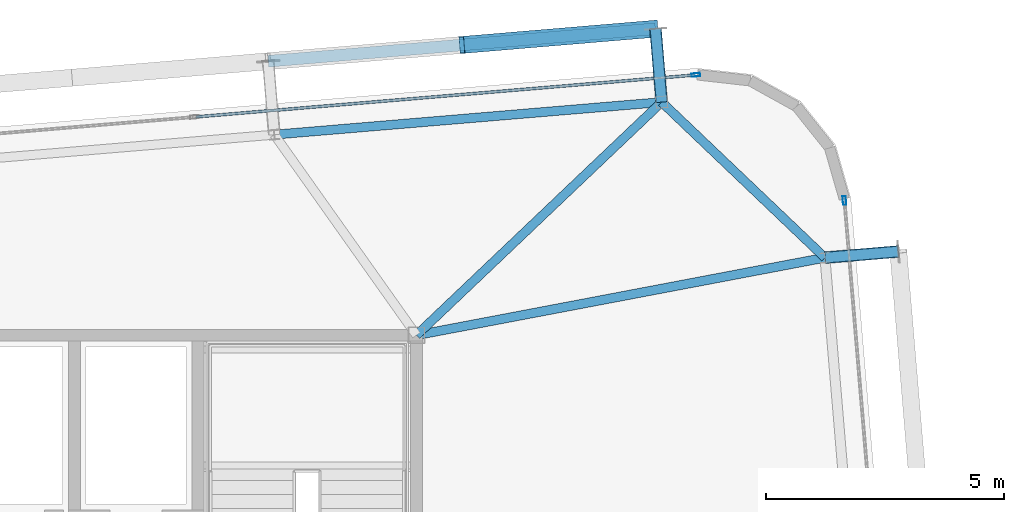
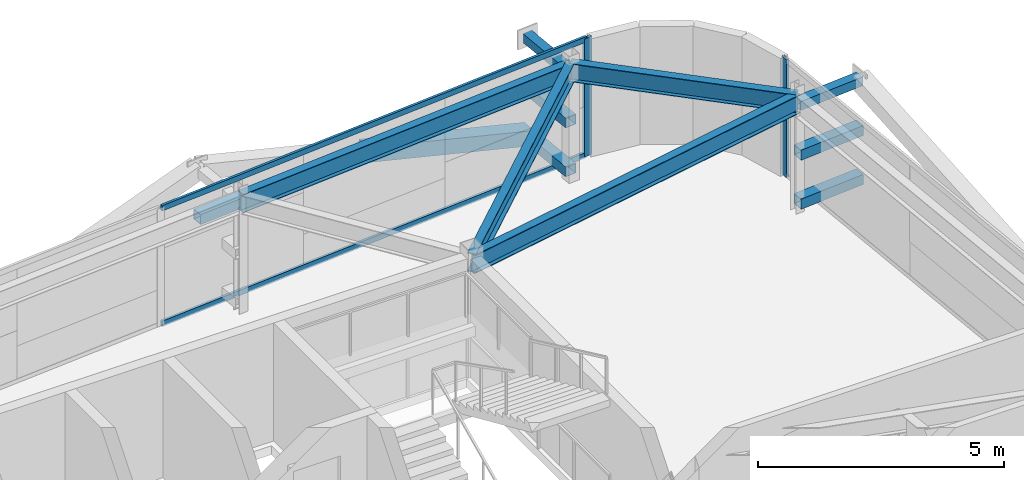
# One storey, part 25 of 37: 12 members, 4 beams, 2 elements without a shape of their own.
"""IFC4 building model written with IfcOpenShell, lengths in metres."""

from ifc_helpers import new_model, si_unit, direction, frame, origin, origin_2d, place, context, subcontext, project, spatial, hollow_rectangle, i_section, extrude, source, transform, mapped, material, layer, layer_set, material_profile, profile_set, type_object, element, aggregate, save


model = new_model("IFC4")

# Units and contexts
model_context = context("Model", 3, precision=1e-05, world=origin(), true_north=direction((0.0, 1.0)))
body_context = subcontext(model_context, "Body", "Model", "MODEL_VIEW")
ifc_project = project(units=[si_unit("LENGTHUNIT", "METRE"), si_unit("AREAUNIT", "SQUARE_METRE"), si_unit("VOLUMEUNIT", "CUBIC_METRE"), si_unit("PLANEANGLEUNIT", "RADIAN"), si_unit("MASSUNIT", "GRAM", prefix="KILO")], contexts=[model_context])

# Site, building, storey
site_placement = place(None, origin())
site = spatial("IfcSite", under=ifc_project, at=site_placement, CompositionType="ELEMENT")
building_placement = place(site_placement, origin())
building = spatial("IfcBuilding", under=site, at=building_placement, Name="Taldren Reach Tower", CompositionType="ELEMENT")
storey_placement = place(building_placement, frame((0.0, 0.0, 200.89990234375)))
storey = spatial("IfcBuildingStorey", under=building, at=storey_placement, Name="L61", CompositionType="ELEMENT", Elevation=200.89990234375)

# Members
ifc_material_1 = material(Name="Steel Gr 350 (C350L0)", Category="steel")
ifc_material_profile_1 = material_profile(ifc_material_1, hollow_rectangle(XDim=0.25, YDim=0.25, WallThickness=0.010009765625, at=origin_2d()), Name="250x250x10.0SHS")
ifc_profile_set_1 = profile_set([ifc_material_profile_1], Name="Steel Gr 350 (C350L0)")
member_type_1 = type_object("IfcMemberType", Name="MB-POST250", PredefinedType="POST", material=ifc_profile_set_1)
shared_shape_1 = source(origin(), body_context, "Body", "SweptSolid", [
    extrude(hollow_rectangle(XDim=0.25, YDim=0.25, WallThickness=0.010009765625, at=origin_2d()), origin(), (0.0, 0.0, 1.0), 1.5498046875),
])
for number, where, z_axis, x_axis, name in (
    (1, (56.160400390625, 36.906005859375, 0.22021484375), (-0.083645141657, 0.996495604746, 0.0), (-0.996495604746, -0.083645141657, 0.0), "Exoskeleton base diaphragm tie strut B4-N6 L61"),
    (2, (56.160400390625, 36.906005859375, 1.43505859375), (-0.083645141657, 0.996495604746, 0.0), (-0.996495604746, -0.083645141657, 0.0), "Exoskeleton mid-tier diaphragm tie B4-N6 L61"),
):
    element("IfcMember", number, at=place(storey_placement, frame(where, z_axis=z_axis, x_axis=x_axis)), inside=storey, type_object=member_type_1, Name=name, PredefinedType="POST", context=body_context, shape_type="MappedRepresentation", body=[
        mapped(shared_shape_1, transform((0.0, 0.0, 0.0), scale=1.0)),
    ])

# Beams
ifc_material_2 = material(Name="Steel Gr 350 (350PLUS)", Category="steel")
ifc_material_profile_2 = material_profile(ifc_material_2, i_section(OverallWidth=0.18994140625, OverallDepth=0.4541015625, WebThickness=0.008544921875, FlangeThickness=0.0126953125, at=origin_2d()), Name="460UB67.1")
ifc_profile_set_2 = profile_set([ifc_material_profile_2], Name="Steel Gr 350 (350PLUS)")
beam_type_1 = type_object("IfcBeamType", Name="SP-UB460B", PredefinedType="SPANDREL", material=ifc_profile_set_2)
shared_shape_2 = source(origin(), body_context, "Body", "SweptSolid", [
    extrude(i_section(OverallWidth=0.18994140625, OverallDepth=0.4541015625, WebThickness=0.008544921875, FlangeThickness=0.0126953125, at=origin_2d()), origin(), (0.0, 0.0, 1.0), 8.18017578125),
])
beam_1_placement = place(storey_placement, frame((56.160400390625, 36.906005859375, 2.703125), z_axis=(-0.996492034688, -0.083687662192, 0.0), x_axis=(0.083687662192, -0.996492034688, 0.0)))
element("IfcBeam", 3, at=beam_1_placement, inside=storey, type_object=beam_type_1, Name="Perimeter spandrel B4 N6-N5 L61", PredefinedType="SPANDREL", context=body_context, shape_type="MappedRepresentation", body=[
    mapped(shared_shape_2, transform((0.0, 0.0, 0.0), scale=1.0)),
])
shared_shape_3 = source(origin(), body_context, "Body", "SweptSolid", [
    extrude(i_section(OverallWidth=0.18994140625, OverallDepth=0.4541015625, WebThickness=0.008544921875, FlangeThickness=0.0126953125, at=origin_2d()), origin(), (0.0, 0.0, 1.0), 4.74609375),
])
beam_2_placement = place(storey_placement, frame((59.596435546875, 33.632080078125, 2.703125), z_axis=(-0.723978879349, 0.689822138132, 0.0), x_axis=(-0.689822138132, -0.723978879349, 0.0)))
element("IfcBeam", 4, at=beam_2_placement, inside=storey, type_object=beam_type_1, Name="Perimeter spandrel B4 E3-N6 L61", PredefinedType="SPANDREL", context=body_context, shape_type="MappedRepresentation", body=[
    mapped(shared_shape_3, transform((0.0, 0.0, 0.0), scale=1.0)),
])
ifc_material_profile_3 = material_profile(ifc_material_2, i_section(OverallWidth=0.19091796875, OverallDepth=0.4599609375, WebThickness=0.010009765625, FlangeThickness=0.01611328125, at=origin_2d()), Name="460UB82.1")
ifc_profile_set_3 = profile_set([ifc_material_profile_3], Name="Steel Gr 350 (350PLUS)")
beam_type_2 = type_object("IfcBeamType", Name="BM-UB460A", PredefinedType="BEAM", material=ifc_profile_set_3)
shared_shape_4 = source(origin(), body_context, "Body", "SweptSolid", [
    extrude(i_section(OverallWidth=0.19091796875, OverallDepth=0.4599609375, WebThickness=0.010009765625, FlangeThickness=0.01611328125, at=origin_2d()), origin(), (0.0, 0.0, 1.0), 8.75),
])
beam_3_placement = place(storey_placement, frame((51.0, 32.0, 2.7001953125), z_axis=(0.982450485799, 0.18652357211, 0.0), x_axis=(-0.18652357211, 0.982450485799, 0.0)))
element("IfcBeam", 5, at=beam_3_placement, inside=storey, type_object=beam_type_2, Name="Primary floor girder B4-E3 L61", PredefinedType="BEAM", context=body_context, shape_type="MappedRepresentation", body=[
    mapped(shared_shape_4, transform((0.0, 0.0, 0.0), scale=1.0)),
])
shared_shape_5 = source(origin(), body_context, "Body", "SweptSolid", [
    extrude(i_section(OverallWidth=0.19091796875, OverallDepth=0.4599609375, WebThickness=0.010009765625, FlangeThickness=0.01611328125, at=origin_2d()), origin(), (0.0, 0.0, 1.0), 7.120361328125),
])
beam_4_placement = place(storey_placement, frame((51.0, 32.0, 2.7001953125), z_axis=(0.724745130454, 0.689017050503, 0.0), x_axis=(-0.689017050503, 0.724745130454, 0.0)))
element("IfcBeam", 6, at=beam_4_placement, inside=storey, type_object=beam_type_2, Name="Primary floor girder B4-N6 L61", PredefinedType="BEAM", context=body_context, shape_type="MappedRepresentation", body=[
    mapped(shared_shape_5, transform((0.0, 0.0, 0.0), scale=1.0)),
])

# Members
ifc_material_3 = material(Name="Steel Gr 450 (C450L0)", Category="steel")
ifc_material_profile_4 = material_profile(ifc_material_3, hollow_rectangle(XDim=0.219970703125, YDim=0.219970703125, WallThickness=0.00830078125, at=origin_2d()), Name="220x220x8.2SHS")
ifc_profile_set_4 = profile_set([ifc_material_profile_4], Name="Steel Gr 450 (C450L0)")
member_type_2 = type_object("IfcMemberType", Name="MB-TIE219", PredefinedType="STRUT", material=ifc_profile_set_4)
shared_shape_6 = source(origin(), body_context, "Body", "SweptSolid", [
    extrude(hollow_rectangle(XDim=0.219970703125, YDim=0.219970703125, WallThickness=0.00830078125, at=origin_2d()), origin(), (0.0, 0.0, 1.0), 1.5498046875),
])
member_1_placement = place(storey_placement, frame((56.160400390625, 36.906005859375, 2.650146484375), z_axis=(-0.083645141657, 0.996495604746, 0.0), x_axis=(-0.996495604746, -0.083645141657, 0.0)))
element("IfcMember", 7, at=member_1_placement, inside=storey, type_object=member_type_2, Name="Exoskeleton diaphragm tie strut B4-N6 L61", PredefinedType="STRUT", context=body_context, shape_type="MappedRepresentation", body=[
    mapped(shared_shape_6, transform((0.0, 0.0, 0.0), scale=1.0)),
])
shared_shape_7 = source(origin(), body_context, "Body", "SweptSolid", [
    extrude(hollow_rectangle(XDim=0.219970703125, YDim=0.219970703125, WallThickness=0.00830078125, at=origin_2d()), origin(), (0.0, 0.0, 1.0), 1.545166015625),
])
member_2_placement = place(storey_placement, frame((59.60107421875, 33.63232421875, 2.650146484375), z_axis=(0.996487766615, 0.083738467783, 0.0), x_axis=(-0.083738467783, 0.996487766615, 0.0)))
element("IfcMember", 8, at=member_2_placement, inside=storey, type_object=member_type_2, Name="Exoskeleton diaphragm tie strut B4-E3 L61", PredefinedType="STRUT", context=body_context, shape_type="MappedRepresentation", body=[
    mapped(shared_shape_7, transform((0.0, 0.0, 0.0), scale=1.0)),
])
shared_shape_8 = source(origin(), body_context, "Body", "SweptSolid", [
    extrude(hollow_rectangle(XDim=0.25, YDim=0.25, WallThickness=0.010009765625, at=origin_2d()), origin(), (0.0, 0.0, 1.0), 8.179931640625),
])
member_3_placement = place(storey_placement, frame((47.87939453125, 37.76611328125, 1.43505859375), z_axis=(0.996494523218, 0.083658025296, 0.0), x_axis=(-0.083658025296, 0.996494523218, 0.0)))
element("IfcMember", 9, at=member_3_placement, inside=storey, type_object=member_type_1, Name="Exoskeleton mid-height ring chord B4-N5 L61", PredefinedType="POST", context=body_context, shape_type="MappedRepresentation", body=[
    mapped(shared_shape_8, transform((0.0, 0.0, 0.0), scale=1.0)),
])
shared_shape_9 = source(origin(), body_context, "Body", "SweptSolid", [
    extrude(hollow_rectangle(XDim=0.25, YDim=0.25, WallThickness=0.010009765625, at=origin_2d()), origin(), (0.0, 0.0, 1.0), 1.545166015625),
])
for number, where, z_axis, x_axis, name in (
    (10, (59.60107421875, 33.63232421875, 0.22021484375), (0.996487766615, 0.083738467783, 0.0), (-0.083738467783, 0.996487766615, 0.0), "Exoskeleton base diaphragm tie strut B4-E3 L61"),
    (11, (59.60107421875, 33.63232421875, 1.43505859375), (0.996487766615, 0.083738467783, 0.0), (-0.083738467783, 0.996487766615, 0.0), "Exoskeleton mid-tier diaphragm tie B4-E3 L61"),
):
    element("IfcMember", number, at=place(storey_placement, frame(where, z_axis=z_axis, x_axis=x_axis)), inside=storey, type_object=member_type_1, Name=name, PredefinedType="POST", context=body_context, shape_type="MappedRepresentation", body=[
        mapped(shared_shape_9, transform((0.0, 0.0, 0.0), scale=1.0)),
    ])
ifc_material_profile_5 = material_profile(ifc_material_3, hollow_rectangle(XDim=0.360107421875, YDim=0.360107421875, WallThickness=0.0126953125, at=origin_2d()), Name="360x360x12.7SHS")
ifc_profile_set_5 = profile_set([ifc_material_profile_5], Name="Steel Gr 450 (C450L0)")
member_type_3 = type_object("IfcMemberType", Name="MB-EXO356", PredefinedType="BRACE", material=ifc_profile_set_5)
shared_shape_10 = source(origin(), body_context, "Body", "SweptSolid", [
    extrude(hollow_rectangle(XDim=0.360107421875, YDim=0.360107421875, WallThickness=0.0126953125, at=origin_2d()), origin(), (0.0, 0.0, 1.0), 4.2666015625),
])
member_4_placement = place(storey_placement, frame((56.03076171875, 38.450439453125, 0.22021484375), z_axis=(-0.955249107127, -0.080166766448, 0.284732212595), x_axis=(0.083628388178, -0.996497010879, 0.0)))
element("IfcMember", 12, at=member_4_placement, inside=storey, type_object=member_type_3, Name="Exoskeleton Diagrid Brace B4-N5 L61", PredefinedType="BRACE", context=body_context, shape_type="MappedRepresentation", body=[
    mapped(shared_shape_10, transform((0.0, 0.0, 0.0), scale=1.0)),
])

# Curtain wall, member
ifc_material_4 = material(Name="Aluminium and Low-E Glass Unitised System", Category="aluminium")
ifc_layer = layer(ifc_material_4, 0.159912109375)
ifc_layer_set = layer_set([ifc_layer], Name="Aluminium and Low-E Glass Unitised System")
curtain_wall_type = type_object("IfcCurtainWallType", Name="CW-SYS-5", PredefinedType="NOTDEFINED", material=ifc_layer_set)
curtain_wall_1_placement = place(storey_placement, origin())
curtain_wall_1 = element("IfcCurtainWall", 13, at=curtain_wall_1_placement, inside=storey, type_object=curtain_wall_type, Name="Unitised curtain wall CW-L61-N", PredefinedType="NOTDEFINED")
ifc_material_5 = material(Name="Anodised Aluminium 6063-T6", Category="aluminium")
ifc_material_profile_6 = material_profile(ifc_material_5, hollow_rectangle(XDim=0.070068359375, YDim=0.179931640625, WallThickness=0.00390625, at=origin_2d()), Name="ALU-180x70x4RHS")
ifc_profile_set_6 = profile_set([ifc_material_profile_6], Name="Anodised Aluminium 6063-T6")
member_type_4 = type_object("IfcMemberType", Name="CW-MUL-180", PredefinedType="MULLION", material=ifc_profile_set_6)
shared_shape_11 = source(origin(), body_context, "Body", "SweptSolid", [
    extrude(hollow_rectangle(XDim=0.070068359375, YDim=0.179931640625, WallThickness=0.00390625, at=origin_2d()), origin(), (0.0, 0.0, 1.0), 2.93017578125),
])
member_5_placement = place(storey_placement, frame((56.8798828125, 37.478271484375, 0.0), z_axis=(0.0, 0.0, 1.0), x_axis=(0.083677875247, -0.99649285657, 0.0)))
member_5 = element("IfcMember", 14, at=member_5_placement, type_object=member_type_4, Name="CW-5 mullion 1", PredefinedType="MULLION", context=body_context, shape_type="MappedRepresentation", body=[
    mapped(shared_shape_11, transform((0.0, 0.0, 0.0), scale=1.0)),
])

curtain_wall_2_placement = place(storey_placement, origin())
curtain_wall_2 = element("IfcCurtainWall", 15, at=curtain_wall_2_placement, inside=storey, type_object=curtain_wall_type, Name="Unitised curtain wall CW-L61-E", PredefinedType="NOTDEFINED")
member_6_placement = place(storey_placement, frame((60.007080078125, 34.835693359375, 0.0), z_axis=(0.0, 0.0, 1.0), x_axis=(-0.996492847789, -0.083677979808, 0.0)))
member_6 = element("IfcMember", 16, at=member_6_placement, type_object=member_type_4, Name="CW-5 mullion 3", PredefinedType="MULLION", context=body_context, shape_type="MappedRepresentation", body=[
    mapped(shared_shape_11, transform((0.0, 0.0, 0.0), scale=1.0)),
])
aggregate(curtain_wall_2, [member_6])

# Member
ifc_material_profile_7 = material_profile(ifc_material_5, hollow_rectangle(XDim=0.06005859375, YDim=0.135009765625, WallThickness=0.00341796875, at=origin_2d()), Name="ALU-135x60x3.5RHS")
ifc_profile_set_7 = profile_set([ifc_material_profile_7], Name="Anodised Aluminium 6063-T6")
member_type_5 = type_object("IfcMemberType", Name="CW-TRN-150", PredefinedType="USERDEFINED", material=ifc_profile_set_7)
shared_shape_12 = source(origin(), body_context, "Body", "SweptSolid", [
    extrude(hollow_rectangle(XDim=0.06005859375, YDim=0.135009765625, WallThickness=0.00341796875, at=origin_2d()), origin(), (0.0, 0.0, 1.0), 10.52001953125),
])
member_7_placement = place(storey_placement, frame((56.84521484375, 37.475341796875, 0.030029296875), z_axis=(-0.996492256575, -0.08368502008, 0.0), x_axis=(0.08368502008, -0.996492256575, 0.0)))
member_7 = element("IfcMember", 17, at=member_7_placement, type_object=member_type_5, Name="CW-5 transom 1.1", ObjectType="TRANSOM", PredefinedType="USERDEFINED", context=body_context, shape_type="MappedRepresentation", body=[
    mapped(shared_shape_12, transform((0.0, 0.0, 0.0), scale=1.0)),
])

member_8_placement = place(storey_placement, frame((56.84521484375, 37.475341796875, 2.900146484375), z_axis=(-0.996492256575, -0.08368502008, 0.0), x_axis=(0.08368502008, -0.996492256575, 0.0)))
member_8 = element("IfcMember", 18, at=member_8_placement, type_object=member_type_5, Name="CW-5 transom 1.2", ObjectType="TRANSOM", PredefinedType="USERDEFINED", context=body_context, shape_type="MappedRepresentation", body=[
    mapped(shared_shape_12, transform((0.0, 0.0, 0.0), scale=1.0)),
])

aggregate(curtain_wall_1, [member_5, member_7, member_8])

save(model, "model.ifc")
